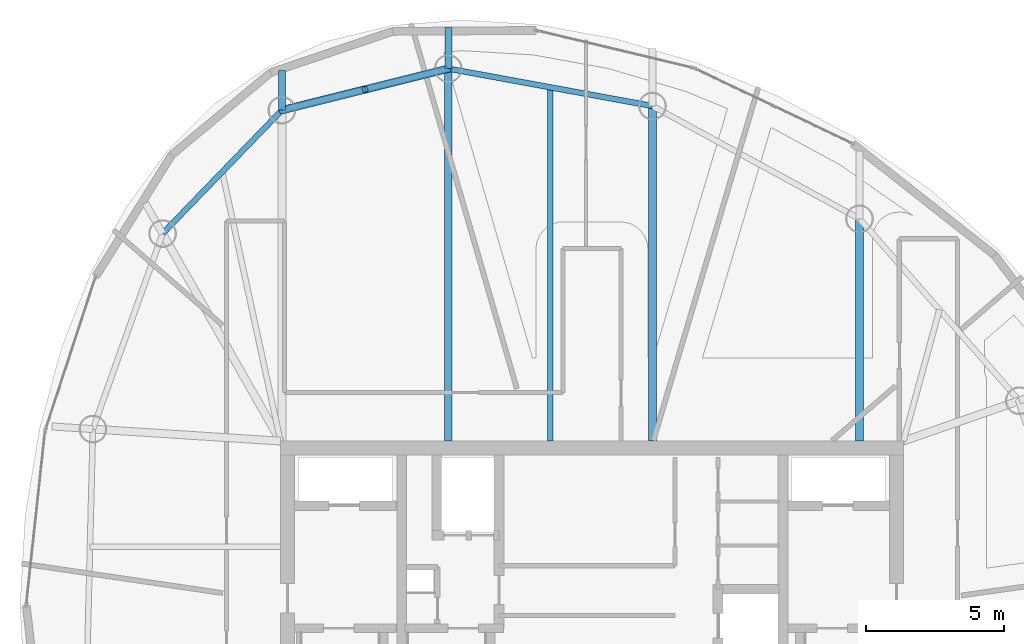
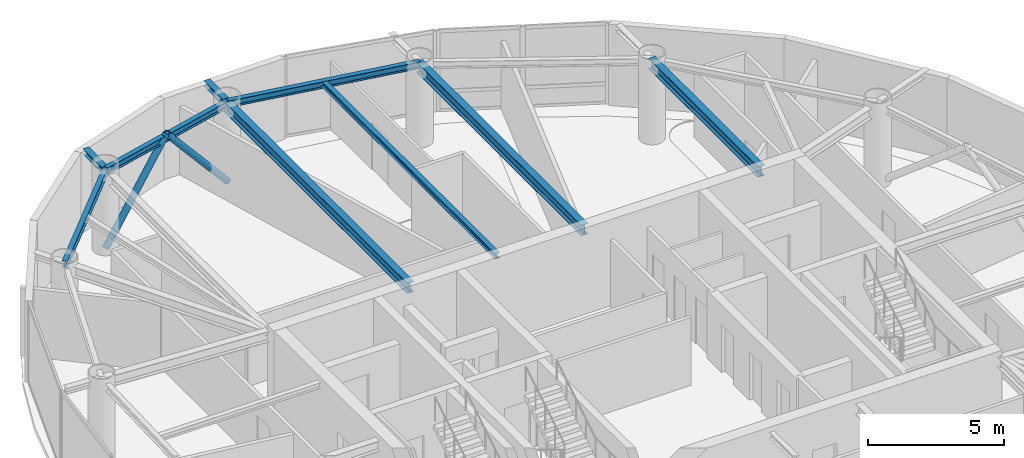
# One storey, part 12 of 20: 9 beams, 2 members.
"""IFC4 building model written with IfcOpenShell, lengths in metres."""

import ifcopenshell
import ifcopenshell.guid

model = None  # the IFC model being written
_history = None  # IfcOwnerHistory: only IFC2X3 demands one
_inside = {}  # id of a spatial element -> (the spatial element, [elements in it])
_under = {}  # id of a project, library or spatial element -> (it, [spatial elements below it])
_declared = {}  # id of a project -> (the project, [libraries it declares])
_typed = {}  # id of a type object -> (the type object, [elements of that type])
_made_of = {}  # id of a material, layer set ... -> (it, [elements and type objects made of it])


def new_model(schema):
    """Start an empty IFC model of exactly this schema.

    Asked for "IFC4X3", IfcOpenShell would pick the latest addendum, in which some entities
    have other attributes; the version numbers below select the first issue.
    IFC2X3 requires an IfcOwnerHistory on every rooted entity: one is made here for all.
    """
    global model, _history
    if schema == "IFC4X3":
        model = ifcopenshell.file(schema_version=(4, 3, 0, 0))
    else:
        model = ifcopenshell.file(schema=schema)
    _inside.clear()
    _under.clear()
    _declared.clear()
    _typed.clear()
    _made_of.clear()
    _history = None
    if model.schema == "IFC2X3":
        org = make("IfcOrganization", Name="unknown")
        user = make(
            "IfcPersonAndOrganization",
            ThePerson=make("IfcPerson", FamilyName="unknown"),
            TheOrganization=org,
        )
        app = make(
            "IfcApplication",
            ApplicationDeveloper=org,
            Version="unknown",
            ApplicationFullName="unknown",
            ApplicationIdentifier="unknown",
        )
        _history = make(
            "IfcOwnerHistory",
            OwningUser=user,
            OwningApplication=app,
            ChangeAction="ADDED",
            CreationDate=0,
        )
    return model


def make(cls, **values):
    """One entity of the class cls with the attributes given. An attribute that is None is left unset."""
    return model.create_entity(
        cls, **{name: value for name, value in values.items() if value is not None}
    )


def rooted(cls, **values):
    """An entity with a GlobalId (a new one), such as an element, a storey or a relation."""
    return make(cls, GlobalId=ifcopenshell.guid.new(), OwnerHistory=_history, **values)


def si_unit(unit_type, name, prefix=None):
    """IfcSIUnit, for example si_unit("LENGTHUNIT", "METRE", prefix="MILLI")."""
    return make("IfcSIUnit", UnitType=unit_type, Prefix=prefix, Name=name)


def assignment(units):
    """IfcUnitAssignment: the units of a project."""
    return None if units is None else make("IfcUnitAssignment", Units=units)


def point(xyz):
    """IfcCartesianPoint."""
    return None if xyz is None else make("IfcCartesianPoint", Coordinates=xyz)


def direction(xyz):
    """IfcDirection."""
    return None if xyz is None else make("IfcDirection", DirectionRatios=xyz)


def frame(location, z_axis=None, x_axis=None):
    """IfcAxis2Placement3D, a coordinate frame: its origin and axes. An axis left out is left unset."""
    return make(
        "IfcAxis2Placement3D",
        Location=point(location),
        Axis=direction(z_axis),
        RefDirection=direction(x_axis),
    )


def frame_2d(location, x_axis=None):
    """IfcAxis2Placement2D, a coordinate frame in the plane: its origin and x axis."""
    return make(
        "IfcAxis2Placement2D", Location=point(location), RefDirection=direction(x_axis)
    )


def origin():
    """The frame at (0, 0, 0) with its axes left unset."""
    return frame((0.0, 0.0, 0.0))


def origin_2d():
    """The frame at (0, 0) in the plane with its x axis left unset."""
    return frame_2d((0.0, 0.0))


def place(relative_to, where):
    """IfcLocalPlacement: puts the frame where relative to a parent placement (None: the world)."""
    return make(
        "IfcLocalPlacement", PlacementRelTo=relative_to, RelativePlacement=where
    )


def context(
    kind, dimensions, precision=None, world=None, true_north=None, identifier=None
):
    """IfcGeometricRepresentationContext, for example the 3D "Model" context."""
    return make(
        "IfcGeometricRepresentationContext",
        ContextIdentifier=identifier,
        ContextType=kind,
        CoordinateSpaceDimension=dimensions,
        Precision=precision,
        WorldCoordinateSystem=world,
        TrueNorth=true_north,
    )


def subcontext(parent, identifier, kind, view, scale=None):
    """IfcGeometricRepresentationSubContext, for example "Body" below "Model"."""
    return make(
        "IfcGeometricRepresentationSubContext",
        ContextIdentifier=identifier,
        ContextType=kind,
        ParentContext=parent,
        TargetScale=scale,
        TargetView=view,
    )


def project(units=None, contexts=None):
    """IfcProject with its units and contexts."""
    return rooted(
        "IfcProject",
        Name="project",
        RepresentationContexts=contexts,
        UnitsInContext=assignment(units),
    )


def spatial(cls, under=None, at=None, **own):
    """A site, building, storey or space (cls), placed at a placement, below another one or the project."""
    s = rooted(cls, ObjectPlacement=at, **own)
    if under is not None:
        _under.setdefault(under.id(), (under, []))[1].append(s)
    return s


def profile(cls, at=None, kind="AREA", **sizes):
    """A parametric profile (cls). Its sizes go by their IFC names, for example OverallWidth=200.0."""
    return make(cls, ProfileType=kind, Position=at, **sizes)


def hollow_circle(**sizes):
    """IfcCircleHollowProfileDef."""
    return profile("IfcCircleHollowProfileDef", **sizes)


def i_section(**sizes):
    """IfcIShapeProfileDef."""
    return profile("IfcIShapeProfileDef", **sizes)


def extrude(swept, where, along, depth):
    """IfcExtrudedAreaSolid: the profile swept, set in the frame where, extruded along a direction by depth."""
    return make(
        "IfcExtrudedAreaSolid",
        SweptArea=swept,
        Position=where,
        ExtrudedDirection=direction(along),
        Depth=depth,
    )


def shape(context_of_items, identifier, shape_type, items):
    """IfcShapeRepresentation: the items that make up one representation, for example the "Body"."""
    return make(
        "IfcShapeRepresentation",
        ContextOfItems=context_of_items,
        RepresentationIdentifier=identifier,
        RepresentationType=shape_type,
        Items=items,
    )


def material(Name=None, Category=None):
    """IfcMaterial."""
    return make("IfcMaterial", Name=Name, Category=Category)


def material_profile(
    of_material, cross_section, Name=None, Category=None, Priority=None
):
    """IfcMaterialProfile: a cross section and its material."""
    return make(
        "IfcMaterialProfile",
        Name=Name,
        Material=of_material,
        Profile=cross_section,
        Priority=Priority,
        Category=Category,
    )


def profile_set(profiles, Name=None, composite=None):
    """IfcMaterialProfileSet."""
    return make(
        "IfcMaterialProfileSet",
        Name=Name,
        MaterialProfiles=profiles,
        CompositeProfile=composite,
    )


def made_of(thing, what):
    """Note that an element or type object is made of a material, layer set ...; save() writes the relation."""
    if what is not None:
        _made_of.setdefault(what.id(), (what, []))[1].append(thing)
    return thing


def type_object(cls, material=None, **own):
    """A type object (cls), such as IfcWallType, which elements share."""
    return made_of(rooted(cls, **own), material)


def element(
    cls,
    number,
    at=None,
    inside=None,
    cuts=None,
    type_object=None,
    material=None,
    context=None,
    identifier="Body",
    shape_type=None,
    held_by="IfcProductDefinitionShape",
    body=None,
    shapes=None,
    **own,
):
    """One element of the class cls, such as IfcWall. Its Tag is "e" and its number.

    at: its placement. inside: the storey or other place that contains it. cuts: it is an
    opening in that element (IfcRelVoidsElement). A single representation is given by context,
    identifier, shape_type and body (its items); several are given by shapes. held_by: the class
    of the entity that holds the representations. save() writes the other relations.
    """
    e = rooted(cls, Tag="e%d" % number, ObjectPlacement=at, **own)
    if body is not None:
        shapes = [shape(context, identifier, shape_type, body)]
    if shapes is not None:
        e.Representation = make(held_by, Representations=shapes)
    if inside is not None:
        _inside.setdefault(inside.id(), (inside, []))[1].append(e)
    if cuts is not None:
        rooted(
            "IfcRelVoidsElement", RelatingBuildingElement=cuts, RelatedOpeningElement=e
        )
    if type_object is not None:
        _typed.setdefault(type_object.id(), (type_object, []))[1].append(e)
    return made_of(e, material)


def aggregate(whole, parts):
    """IfcRelAggregates: a whole, such as a stair, and the parts it consists of."""
    return rooted("IfcRelAggregates", RelatingObject=whole, RelatedObjects=parts)


def save(model, path):
    """Write the relations noted so far, then the file.

    IfcRelAggregates (storeys below a building ...), IfcRelContainedInSpatialStructure (elements
    in a storey), IfcRelDefinesByType, IfcRelAssociatesMaterial and IfcRelDeclares: one each for
    every whole, place, type object, material and project.
    """
    for whole, parts in _under.values():
        aggregate(whole, parts)
    for where, things in _inside.values():
        rooted(
            "IfcRelContainedInSpatialStructure",
            RelatedElements=things,
            RelatingStructure=where,
        )
    for kind, things in _typed.values():
        rooted("IfcRelDefinesByType", RelatedObjects=things, RelatingType=kind)
    for what, things in _made_of.values():
        rooted("IfcRelAssociatesMaterial", RelatedObjects=things, RelatingMaterial=what)
    for by, libraries in _declared.values():
        rooted("IfcRelDeclares", RelatingContext=by, RelatedDefinitions=libraries)
    model.write(path)


model = new_model("IFC4")

# Units and contexts
model_context = context("Model", 3, precision=1e-05, world=origin(), true_north=direction((0.0, 1.0)))
body_context = subcontext(model_context, "Body", "Model", "MODEL_VIEW")
ifc_project = project(units=[si_unit("LENGTHUNIT", "METRE"), si_unit("AREAUNIT", "SQUARE_METRE"), si_unit("VOLUMEUNIT", "CUBIC_METRE"), si_unit("PLANEANGLEUNIT", "RADIAN"), si_unit("MASSUNIT", "GRAM", prefix="KILO")], contexts=[model_context])

# Site, building, storey
site_placement = place(None, origin())
site = spatial("IfcSite", under=ifc_project, at=site_placement, CompositionType="ELEMENT")
building_placement = place(site_placement, origin())
building = spatial("IfcBuilding", under=site, at=building_placement, Name="Bramvorn Convention Spire", CompositionType="ELEMENT")
storey_placement = place(building_placement, frame((0.0, 0.0, 276.699951171875)))
storey = spatial("IfcBuildingStorey", under=building, at=storey_placement, Name="L70", CompositionType="ELEMENT", Elevation=276.699951171875)

# Beams
ifc_material = material(Name="Steel CSA G40.21 Grade 350 (350W)", Category="steel")
ifc_material_profile_1 = material_profile(ifc_material, i_section(OverallWidth=0.201904296875, OverallDepth=0.2470703125, WebThickness=0.00732421875, FlangeThickness=0.010986328125, FilletRadius=0.011962890625, at=origin_2d()))
ifc_profile_set_1 = profile_set([ifc_material_profile_1], Name="Steel CSA G40.21 Grade 350 (350W) - W250X49")
beam_type_1 = type_object("IfcBeamType", Name="BM-W250X49", PredefinedType="JOIST", material=ifc_profile_set_1)
beam_1_placement = place(storey_placement, frame((36.498046875, 33.449951171875, 3.50146484375), z_axis=(0.0, 1.0, 0.0), x_axis=(-1.0, 0.0, 0.0)))
element("IfcBeam", 1, at=beam_1_placement, inside=storey, type_object=beam_type_1, Name="L70 composite floor joist 07", PredefinedType="JOIST", context=body_context, shape_type="SweptSolid", body=[
    extrude(i_section(OverallWidth=0.201904296875, OverallDepth=0.2470703125, WebThickness=0.00732421875, FlangeThickness=0.010986328125, FilletRadius=0.011962890625, at=origin_2d()), origin(), (0.0, 0.0, 1.0), 12.77587890625),
])
ifc_material_profile_2 = material_profile(ifc_material, i_section(OverallWidth=0.25390625, OverallDepth=0.2529296875, WebThickness=0.008544921875, FlangeThickness=0.01416015625, FilletRadius=0.011962890625, at=origin_2d()))
ifc_profile_set_2 = profile_set([ifc_material_profile_2], Name="Steel CSA G40.21 Grade 350 (350W) - W250X73")
beam_type_2 = type_object("IfcBeamType", Name="BM-W250X73", PredefinedType="BEAM", material=ifc_profile_set_2)
beam_2_placement = place(storey_placement, frame((32.8115234375, 46.90087890625, 3.49853515625), z_axis=(0.0, 1.0, 0.0), x_axis=(-1.0, 0.0, 0.0)))
element("IfcBeam", 2, at=beam_2_placement, inside=storey, type_object=beam_type_2, Name="L70 slab-edge cantilever tip beam MC08", PredefinedType="BEAM", context=body_context, shape_type="SweptSolid", body=[
    extrude(i_section(OverallWidth=0.25390625, OverallDepth=0.2529296875, WebThickness=0.008544921875, FlangeThickness=0.01416015625, FilletRadius=0.011962890625, at=origin_2d()), origin(), (0.0, 0.0, 1.0), 1.487060546875),
])
beam_3_placement = place(storey_placement, frame((26.800048828125, 45.39892578125, 3.49853515625), z_axis=(0.0, 1.0, 0.0), x_axis=(-1.0, 0.0, 0.0)))
element("IfcBeam", 3, at=beam_3_placement, inside=storey, type_object=beam_type_2, Name="L70 slab-edge cantilever tip beam MC09", PredefinedType="BEAM", context=body_context, shape_type="SweptSolid", body=[
    extrude(i_section(OverallWidth=0.25390625, OverallDepth=0.2529296875, WebThickness=0.008544921875, FlangeThickness=0.01416015625, FilletRadius=0.011962890625, at=origin_2d()), origin(), (0.0, 0.0, 1.0), 1.43408203125),
])
ifc_material_profile_3 = material_profile(ifc_material, i_section(OverallWidth=0.202880859375, OverallDepth=0.302978515625, WebThickness=0.007568359375, FlangeThickness=0.01318359375, FilletRadius=0.013916015625, at=origin_2d()))
ifc_profile_set_3 = profile_set([ifc_material_profile_3], Name="Steel CSA G40.21 Grade 350 (350W) - W310X60")
beam_type_3 = type_object("IfcBeamType", Name="BM-W310X60", PredefinedType="JOIST", material=ifc_profile_set_3)
beam_4_placement = place(storey_placement, frame((40.1845703125, 45.55078125, 3.4736328125), z_axis=(-0.983645049461, 0.180117785547, 0.0), x_axis=(-0.180117785547, -0.983645049461, 0.0)))
element("IfcBeam", 4, at=beam_4_placement, inside=storey, type_object=beam_type_3, Name="L70 mega-column ring beam 07", PredefinedType="JOIST", context=body_context, shape_type="SweptSolid", body=[
    extrude(i_section(OverallWidth=0.202880859375, OverallDepth=0.302978515625, WebThickness=0.007568359375, FlangeThickness=0.01318359375, FilletRadius=0.013916015625, at=origin_2d()), origin(), (0.0, 0.0, 1.0), 7.49560546875),
])
for number, where, z_axis, x_axis, name in (
    (5, (32.8115234375, 46.90087890625, 3.4736328125), (-0.970177255997, -0.24239655927, 0.0), (0.24239655927, -0.970177255997, 0.0), "L70 mega-column ring beam 08"),
    (6, (26.800048828125, 45.39892578125, 3.4736328125), (-0.695007159797, -0.719002814898, 0.0), (0.719002814898, -0.695007159797, 0.0), "L70 mega-column ring beam 09"),
):
    element("IfcBeam", number, at=place(storey_placement, frame(where, z_axis=z_axis, x_axis=x_axis)), inside=storey, type_object=beam_type_3, Name=name, PredefinedType="JOIST", context=body_context, shape_type="SweptSolid", body=[
        extrude(i_section(OverallWidth=0.202880859375, OverallDepth=0.302978515625, WebThickness=0.007568359375, FlangeThickness=0.01318359375, FilletRadius=0.013916015625, at=origin_2d()), origin(), (0.0, 0.0, 1.0), 6.1962890625),
    ])
ifc_material_profile_4 = material_profile(ifc_material, i_section(OverallWidth=0.283935546875, OverallDepth=0.47607421875, WebThickness=0.014892578125, FlangeThickness=0.02392578125, FilletRadius=0.01806640625, at=origin_2d()))
ifc_profile_set_4 = profile_set([ifc_material_profile_4], Name="Steel CSA G40.21 Grade 350 (350W) - W460X158")
beam_type_4 = type_object("IfcBeamType", Name="BM-W460X158", PredefinedType="SPANDREL", material=ifc_profile_set_4)
beam_5_placement = place(storey_placement, frame((47.662353515625, 33.449951171875, 3.386962890625), z_axis=(0.0, 1.0, 0.0), x_axis=(-1.0, 0.0, 0.0)))
element("IfcBeam", 7, at=beam_5_placement, inside=storey, type_object=beam_type_4, Name="L70 radial floor girder MC06", PredefinedType="SPANDREL", context=body_context, shape_type="SweptSolid", body=[
    extrude(i_section(OverallWidth=0.283935546875, OverallDepth=0.47607421875, WebThickness=0.014892578125, FlangeThickness=0.02392578125, FilletRadius=0.01806640625, at=origin_2d()), origin(), (0.0, 0.0, 1.0), 8.02685546875),
])
beam_6_placement = place(storey_placement, frame((40.1845703125, 33.449951171875, 3.386962890625), z_axis=(0.0, 1.0, 0.0), x_axis=(-1.0, 0.0, 0.0)))
element("IfcBeam", 8, at=beam_6_placement, inside=storey, type_object=beam_type_4, Name="L70 radial floor girder MC07", PredefinedType="SPANDREL", context=body_context, shape_type="SweptSolid", body=[
    extrude(i_section(OverallWidth=0.283935546875, OverallDepth=0.47607421875, WebThickness=0.014892578125, FlangeThickness=0.02392578125, FilletRadius=0.01806640625, at=origin_2d()), origin(), (0.0, 0.0, 1.0), 12.100830078125),
])
beam_7_placement = place(storey_placement, frame((32.8115234375, 33.449951171875, 3.386962890625), z_axis=(0.0, 1.0, 0.0), x_axis=(-1.0, 0.0, 0.0)))
element("IfcBeam", 9, at=beam_7_placement, inside=storey, type_object=beam_type_4, Name="L70 radial floor girder MC08", PredefinedType="SPANDREL", context=body_context, shape_type="SweptSolid", body=[
    extrude(i_section(OverallWidth=0.283935546875, OverallDepth=0.47607421875, WebThickness=0.014892578125, FlangeThickness=0.02392578125, FilletRadius=0.01806640625, at=origin_2d()), origin(), (0.0, 0.0, 1.0), 13.450927734375),
])

# Members
ifc_material_profile_5 = material_profile(ifc_material, hollow_circle(Radius=0.136474609375, WallThickness=0.0126953125, at=origin_2d()))
ifc_profile_set_5 = profile_set([ifc_material_profile_5], Name="Steel CSA G40.21 Grade 350 (350W) - CHS273X13")
member_type = type_object("IfcMemberType", Name="MBR-CHS273X13", PredefinedType="BRACE", material=ifc_profile_set_5)
for number, where, z_axis, x_axis, name in (
    (10, (32.8115234375, 46.90087890625, 0.0), (-0.630340941886, -0.157482840906, 0.760177250253), (0.242387293712, -0.970179570929, 0.0), "L70 perimeter Gothic lancet brace 8A"),
    (11, (26.800048828125, 45.39892578125, 0.0), (0.630310085311, 0.157487923192, 0.76020178269), (-0.242405825514, 0.9701749408, 0.0), "L70 perimeter Gothic lancet brace 8B"),
):
    element("IfcMember", number, at=place(storey_placement, frame(where, z_axis=z_axis, x_axis=x_axis)), inside=storey, type_object=member_type, Name=name, PredefinedType="BRACE", context=body_context, shape_type="SweptSolid", body=[
        extrude(hollow_circle(Radius=0.136474609375, WallThickness=0.0126953125, at=origin_2d()), origin(), (0.0, 0.0, 1.0), 4.7685546875),
    ])

save(model, "model.ifc")
